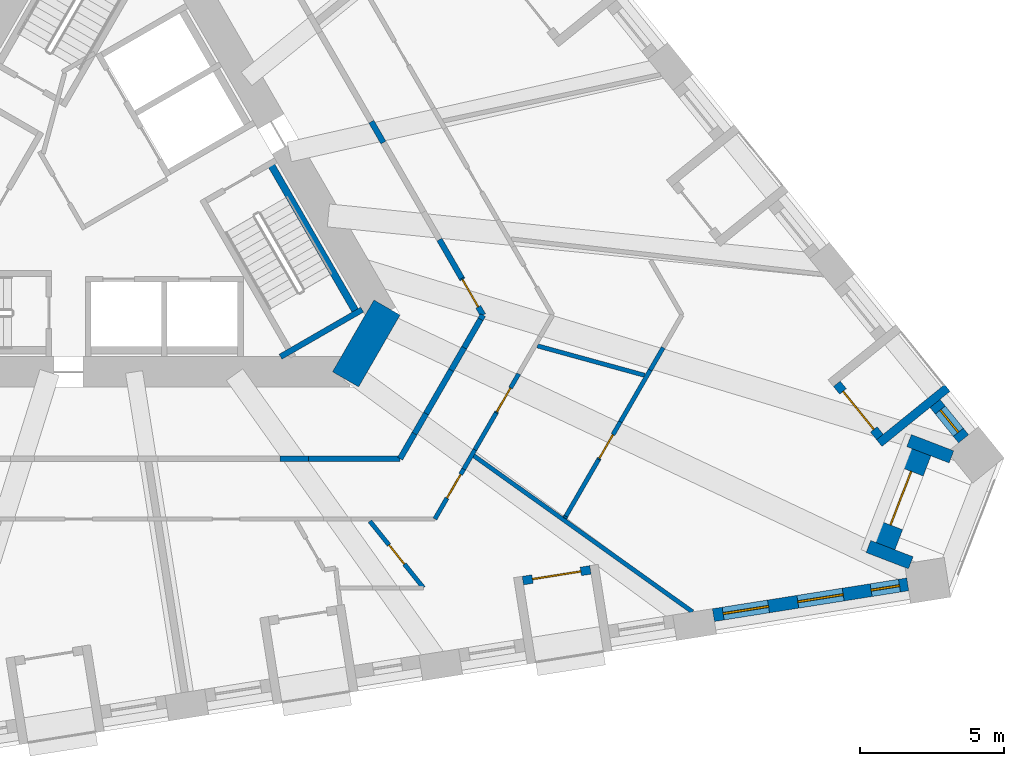
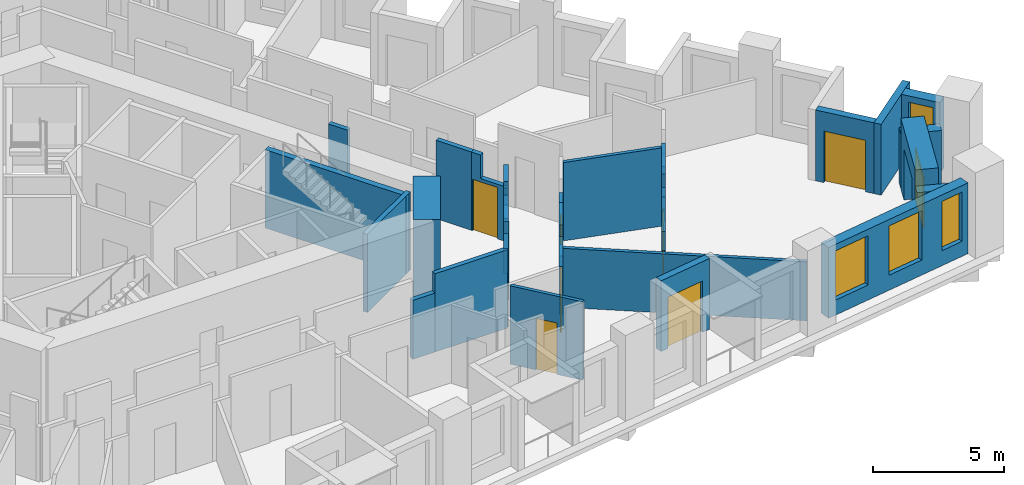
# One storey, part 6 of 14: 34 walls, 8 doors, 4 windows, 12 openings.
"""IFC4 building model written with IfcOpenShell, lengths in metres."""

from ifc_helpers import new_model, si_unit, direction, frame, frame_2d, origin, place, context, subcontext, project, spatial, polyline, rectangle, outline, extrude, material, layer, layer_set, type_object, element, fill, save


model = new_model("IFC4")

# Units and contexts
model_context = context("Model", 3, precision=1e-05, world=origin(), true_north=direction((0.0, 1.0)))
body_context = subcontext(model_context, "Body", "Model", "MODEL_VIEW")
ifc_project = project(units=[si_unit("LENGTHUNIT", "METRE"), si_unit("AREAUNIT", "SQUARE_METRE"), si_unit("VOLUMEUNIT", "CUBIC_METRE"), si_unit("PLANEANGLEUNIT", "RADIAN"), si_unit("MASSUNIT", "GRAM", prefix="KILO")], contexts=[model_context])

# Site, building, storey
site_placement = place(None, origin())
site = spatial("IfcSite", under=ifc_project, at=site_placement, CompositionType="ELEMENT")
building_placement = place(site_placement, origin())
building = spatial("IfcBuilding", under=site, at=building_placement, Name="Tramontana Tower", CompositionType="ELEMENT")
storey_placement = place(building_placement, frame((0.0, 0.0, 55.199951171875)))
storey = spatial("IfcBuildingStorey", under=building, at=storey_placement, Name="L11", CompositionType="ELEMENT", Elevation=55.199951171875)

# Walls
ifc_material_1 = material(Name="Concrete 70 MPa", Category="concrete")
ifc_layer_1 = layer(ifc_material_1, 1.050048828125)
ifc_layer_set_1 = layer_set([ifc_layer_1], Name="Core wall 1050 70 MPa")
wall_type_1 = type_object("IfcWallType", Name="Core wall 1050 70 MPa", PredefinedType="SHEAR", material=ifc_layer_set_1)
wall_1_placement = place(storey_placement, frame((8.349853515625, -6.487548828125, 0.0), z_axis=(0.0, 0.0, 1.0), x_axis=(0.499995765644, 0.866027848477, 0.0)))
element("IfcWall", 1, at=wall_1_placement, inside=storey, type_object=wall_type_1, Name="Core wall C4 L11", PredefinedType="SHEAR", context=body_context, shape_type="SweptSolid", body=[
    extrude(rectangle(XDim=2.88671875, YDim=1.050048828125, at=frame_2d((1.443359375, 0.0))), origin(), (0.0, 0.0, 1.0), 4.0),
])
ifc_material_2 = material(Name="Blockwork", Category="masonry")
ifc_layer_2 = layer(ifc_material_2, 0.199951171875)
ifc_layer_set_2 = layer_set([ifc_layer_2], Name="ENTRY WALL 200")
wall_type_2 = type_object("IfcWallType", Name="ENTRY WALL 200", PredefinedType="SOLIDWALL", material=ifc_layer_set_2)
wall_2_placement = place(storey_placement, frame((9.248046875, 2.48193359375, 0.0), z_axis=(0.0, 0.0, 1.0), x_axis=(0.500117447933, -0.865957584569, 0.0)))
element("IfcWall", 2, at=wall_2_placement, inside=storey, type_object=wall_type_2, Name="Wall v10-ew0-5", PredefinedType="SOLIDWALL", context=body_context, shape_type="SweptSolid", body=[
    extrude(rectangle(XDim=0.838134765625, YDim=0.199951171875, at=frame_2d((0.4189453125, 0.0))), origin(), (0.0, 0.0, 1.0), 2.75),
])
wall_3_placement = place(storey_placement, frame((11.618408203125, -1.623779296875, 0.0), z_axis=(0.0, 0.0, 1.0), x_axis=(0.50011257031, -0.86596040153, 0.0)))
element("IfcWall", 3, at=wall_3_placement, inside=storey, type_object=wall_type_2, Name="Wall v10-ew0-8", PredefinedType="SOLIDWALL", context=body_context, shape_type="SweptSolid", body=[
    extrude(rectangle(XDim=1.552978515625, YDim=0.199951171875, at=frame_2d((0.7763671875, 0.0))), origin(), (0.0, 0.0, 1.0), 3.650146484375),
])

# Wall, opening, door
wall_4_placement = place(storey_placement, frame((12.39501953125, -2.968505859375, 0.0), z_axis=(0.0, 0.0, 1.0), x_axis=(0.499936694431, -0.866061950187, 0.0)))
wall_4 = element("IfcWall", 4, at=wall_4_placement, inside=storey, type_object=wall_type_2, Name="Wall v10-ew0-9", PredefinedType="SOLIDWALL", context=body_context, shape_type="SweptSolid", body=[
    extrude(outline(polyline([(0.0, 0.0), (1.479736328125, 0.0), (1.4794921875, 2.550048828125), (0.4091796875, 2.550048828125), (0.4091796875, 3.650146484375), (0.0, 3.650146484375), (0.0, 0.0)])), frame((0.0, 0.10009765625, 0.0), z_axis=(0.0, -1.0, 0.0), x_axis=(1.0, 0.0, 0.0)), (0.0, 0.0, 1.0), 0.199951171875),
])
opening_1_placement = place(wall_4_placement, frame((0.050048828125, 0.0, 0.0)))
opening_1 = element("IfcOpeningElement", 5, at=opening_1_placement, cuts=wall_4, Name="Opening B1A-30", PredefinedType="OPENING", context=body_context, shape_type="SweptSolid", body=[
    extrude(rectangle(XDim=1.10009765625, YDim=2.39990234375, at=frame_2d((0.550048828125, 1.199951171875))), frame((0.0, 0.10986328125, 0.0), z_axis=(0.0, -1.0, 0.0), x_axis=(1.0, 0.0, 0.0)), (0.0, 0.0, 1.0), 0.219970703125),
])
ifc_material_3 = material(Name="Painted timber", Category="wood")
door_type_1 = type_object("IfcDoorType", Name="DOOR ENTRY 1100", OperationType="SINGLE_SWING_LEFT", PredefinedType="DOOR", material=ifc_material_3)
door_1_placement = place(opening_1_placement, origin())
door_1 = element("IfcDoor", 6, at=door_1_placement, inside=storey, type_object=door_type_1, Name="Door B1A-30", OperationType="SINGLE_SWING_RIGHT", OverallHeight=2.39990234375, OverallWidth=1.10009765625, PredefinedType="DOOR", context=body_context, shape_type="SweptSolid", body=[
    extrude(rectangle(XDim=1.10009765625, YDim=2.39990234375, at=frame_2d((0.550048828125, 1.199951171875))), frame((0.0, 0.02490234375, 0.0), z_axis=(0.0, -1.0, 0.0), x_axis=(1.0, 0.0, 0.0)), (0.0, 0.0, 1.0), 0.050048828125),
])
fill(opening_1, door_1)

# Walls
wall_5_placement = place(storey_placement, frame((13.134765625, -4.25, 0.0), z_axis=(0.0, 0.0, 1.0), x_axis=(-0.500586455622, -0.865686548612, 0.0)))
element("IfcWall", 7, at=wall_5_placement, inside=storey, type_object=wall_type_2, Name="Wall v10-ew1-0", PredefinedType="SOLIDWALL", context=body_context, shape_type="SweptSolid", body=[
    extrude(rectangle(XDim=0.171142578125, YDim=0.199951171875, at=frame_2d((0.08544921875, 0.0))), origin(), (0.0, 0.0, 1.0), 2.550048828125),
])
wall_6_placement = place(storey_placement, frame((13.049072265625, -4.398193359375, 0.0), z_axis=(0.0, 0.0, 1.0), x_axis=(-0.499889102667, -0.866089420923, 0.0)))
element("IfcWall", 8, at=wall_6_placement, inside=storey, type_object=wall_type_2, Name="Wall v10-ew1-1", PredefinedType="SOLIDWALL", context=body_context, shape_type="SweptSolid", body=[
    extrude(rectangle(XDim=1.141357421875, YDim=0.199951171875, at=frame_2d((0.57080078125, 0.0))), origin(), (0.0, 0.0, 1.0), 3.650146484375),
])
wall_7_placement = place(storey_placement, frame((12.478515625, -5.38671875, 0.0), z_axis=(0.0, 0.0, 1.0), x_axis=(-0.500151474942, -0.865937932021, 0.0)))
element("IfcWall", 9, at=wall_7_placement, inside=storey, type_object=wall_type_2, Name="Wall v10-ew1-2", PredefinedType="SOLIDWALL", context=body_context, shape_type="SweptSolid", body=[
    extrude(rectangle(XDim=0.903076171875, YDim=0.199951171875, at=frame_2d((0.45166015625, 0.0))), origin(), (0.0, 0.0, 1.0), 2.550048828125),
])
wall_8_placement = place(storey_placement, frame((12.02685546875, -6.168701171875, 0.0), z_axis=(0.0, 0.0, 1.0), x_axis=(-0.499900037626, -0.866083109396, 0.0)))
element("IfcWall", 10, at=wall_8_placement, inside=storey, type_object=wall_type_2, Name="Wall v10-ew1-3", PredefinedType="SOLIDWALL", context=body_context, shape_type="SweptSolid", body=[
    extrude(rectangle(XDim=1.745361328125, YDim=0.199951171875, at=frame_2d((0.87255859375, 0.0))), origin(), (0.0, 0.0, 1.0), 3.650146484375),
])
wall_9_placement = place(storey_placement, frame((11.154296875, -7.680419921875, 0.0), z_axis=(0.0, 0.0, 1.0), x_axis=(-0.500151261923, -0.865938055058, 0.0)))
element("IfcWall", 11, at=wall_9_placement, inside=storey, type_object=wall_type_2, Name="Wall v10-ew1-4", PredefinedType="SOLIDWALL", context=body_context, shape_type="SweptSolid", body=[
    extrude(rectangle(XDim=0.804931640625, YDim=0.199951171875, at=frame_2d((0.40234375, 0.0))), origin(), (0.0, 0.0, 1.0), 2.75),
])
wall_10_placement = place(storey_placement, frame((10.751708984375, -8.37744140625, 0.0), z_axis=(0.0, 0.0, 1.0), x_axis=(-0.499918237861, -0.866072604031, 0.0)))
element("IfcWall", 12, at=wall_10_placement, inside=storey, type_object=wall_type_2, Name="Wall v10-ew1-5", PredefinedType="SOLIDWALL", context=body_context, shape_type="SweptSolid", body=[
    extrude(rectangle(XDim=1.007568359375, YDim=0.199951171875, at=frame_2d((0.50390625, 0.0))), origin(), (0.0, 0.0, 1.0), 3.650146484375),
])
wall_11_placement = place(storey_placement, frame((10.248046875, -9.25, 0.0), z_axis=(0.0, 0.0, 1.0), x_axis=(-1.0, 0.0, 0.0)))
element("IfcWall", 13, at=wall_11_placement, inside=storey, type_object=wall_type_2, Name="Wall v10-ew2-0", PredefinedType="SOLIDWALL", context=body_context, shape_type="SweptSolid", body=[
    extrude(rectangle(XDim=3.190673828125, YDim=0.199951171875, at=frame_2d((1.59521484375, 0.0))), origin(), (0.0, 0.0, 1.0), 3.650146484375),
])
wall_12_placement = place(storey_placement, frame((7.057373046875, -9.25, 0.0), z_axis=(0.0, 0.0, 1.0), x_axis=(-1.0, 0.0, 0.0)))
element("IfcWall", 14, at=wall_12_placement, inside=storey, type_object=wall_type_2, Name="Wall v10-ew2-1", PredefinedType="SOLIDWALL", context=body_context, shape_type="SweptSolid", body=[
    extrude(rectangle(XDim=0.981201171875, YDim=0.199951171875, at=frame_2d((0.49072265625, 0.0))), origin(), (0.0, 0.0, 1.0), 2.75),
])

# Wall, openings, windows
ifc_material_4 = material(Name="Precast concrete 60 MPa", Category="concrete")
ifc_layer_3 = layer(ifc_material_4, 0.449951171875)
ifc_layer_set_3 = layer_set([ifc_layer_3], Name="Precast concrete 60 MPa, 450 mm")
wall_type_3 = type_object("IfcWallType", Name="EW1 Stone-faced precast wall 450", PredefinedType="SOLIDWALL", material=ifc_layer_set_3)
wall_13_placement = place(storey_placement, frame((21.1572265625, -14.6962890625, 0.0), z_axis=(0.0, 0.0, 1.0), x_axis=(0.987685675151, 0.156451293065, 0.0)))
wall_13 = element("IfcWall", 15, at=wall_13_placement, inside=storey, type_object=wall_type_3, Name="External wall L11 face 1 bay 6", PredefinedType="SOLIDWALL", context=body_context, shape_type="SweptSolid", body=[
    extrude(rectangle(XDim=6.848876953125, YDim=0.449951171875, at=frame_2d((3.42431640625, 0.0))), origin(), (0.0, 0.0, 1.0), 3.300048828125),
])
opening_2_placement = place(wall_13_placement, frame((0.341552734375, 0.0, 0.699951171875)))
opening_2 = element("IfcOpeningElement", 16, at=opening_2_placement, cuts=wall_13, Name="Opening M1", PredefinedType="OPENING", context=body_context, shape_type="SweptSolid", body=[
    extrude(rectangle(XDim=1.60009765625, YDim=2.300048828125, at=frame_2d((0.800048828125, 1.14990234375))), frame((0.0, 0.23486328125, 0.0), z_axis=(0.0, -1.0, 0.0), x_axis=(1.0, 0.0, 0.0)), (0.0, 0.0, 1.0), 0.469970703125),
])
opening_3_placement = place(wall_13_placement, frame((2.974365234375, 0.0, 0.699951171875)))
opening_3 = element("IfcOpeningElement", 17, at=opening_3_placement, cuts=wall_13, Name="Opening M1", PredefinedType="OPENING", context=body_context, shape_type="SweptSolid", body=[
    extrude(rectangle(XDim=1.60009765625, YDim=2.300048828125, at=frame_2d((0.800048828125, 1.14990234375))), frame((0.0, 0.23486328125, 0.0), z_axis=(0.0, -1.0, 0.0), x_axis=(1.0, 0.0, 0.0)), (0.0, 0.0, 1.0), 0.469970703125),
])
opening_4_placement = place(wall_13_placement, frame((5.557373046875, 0.0, 0.699951171875)))
opening_4 = element("IfcOpeningElement", 18, at=opening_4_placement, cuts=wall_13, Name="Opening N1", PredefinedType="OPENING", context=body_context, shape_type="SweptSolid", body=[
    extrude(rectangle(XDim=1.0, YDim=2.300048828125, at=frame_2d((0.5, 1.14990234375))), frame((0.0, 0.23486328125, 0.0), z_axis=(0.0, -1.0, 0.0), x_axis=(1.0, 0.0, 0.0)), (0.0, 0.0, 1.0), 0.469970703125),
])
ifc_material_5 = material(Name="Aluminum frame, double glazing unit", Category="aluminium")
window_type_1 = type_object("IfcWindowType", Name="M1 Window 1.6 x 2.3", PartitioningType="SINGLE_PANEL", PredefinedType="WINDOW", material=ifc_material_5)
window_1_placement = place(opening_2_placement, origin())
window_1 = element("IfcWindow", 19, at=window_1_placement, inside=storey, type_object=window_type_1, Name="Window M1 L11 face 1 module 16", OverallHeight=2.300048828125, OverallWidth=1.60009765625, PartitioningType="SINGLE_PANEL", PredefinedType="WINDOW", context=body_context, shape_type="SweptSolid", body=[
    extrude(rectangle(XDim=1.60009765625, YDim=2.300048828125, at=frame_2d((0.800048828125, 1.14990234375))), frame((0.0, 0.030029296875, 0.0), z_axis=(0.0, -1.0, 0.0), x_axis=(1.0, 0.0, 0.0)), (0.0, 0.0, 1.0), 0.06005859375),
])
fill(opening_2, window_1)
window_2_placement = place(opening_3_placement, origin())
window_2 = element("IfcWindow", 20, at=window_2_placement, inside=storey, type_object=window_type_1, Name="Window M1 L11 face 1 module 17", OverallHeight=2.300048828125, OverallWidth=1.60009765625, PartitioningType="SINGLE_PANEL", PredefinedType="WINDOW", context=body_context, shape_type="SweptSolid", body=[
    extrude(rectangle(XDim=1.60009765625, YDim=2.300048828125, at=frame_2d((0.800048828125, 1.14990234375))), frame((0.0, 0.030029296875, 0.0), z_axis=(0.0, -1.0, 0.0), x_axis=(1.0, 0.0, 0.0)), (0.0, 0.0, 1.0), 0.06005859375),
])
fill(opening_3, window_2)
ifc_material_6 = material(Name="Aluminum frame, double glazing unit", Category="aluminium")
window_type_2 = type_object("IfcWindowType", Name="N1 Window 1 x 2.3", PartitioningType="SINGLE_PANEL", PredefinedType="WINDOW", material=ifc_material_6)
window_3_placement = place(opening_4_placement, origin())
window_3 = element("IfcWindow", 21, at=window_3_placement, inside=storey, type_object=window_type_2, Name="Window N1 L11 face 1 module 18", OverallHeight=2.300048828125, OverallWidth=1.0, PartitioningType="SINGLE_PANEL", PredefinedType="WINDOW", context=body_context, shape_type="SweptSolid", body=[
    extrude(rectangle(XDim=1.0, YDim=2.300048828125, at=frame_2d((0.5, 1.14990234375))), frame((0.0, 0.030029296875, 0.0), z_axis=(0.0, -1.0, 0.0), x_axis=(1.0, 0.0, 0.0)), (0.0, 0.0, 1.0), 0.06005859375),
])
fill(opening_4, window_3)

# Wall, opening, window
wall_14_placement = place(storey_placement, frame((29.86669921875, -8.558349609375, 0.0), z_axis=(0.0, 0.0, 1.0), x_axis=(-0.629273652342, 0.77718380739, 0.0)))
wall_14 = element("IfcWall", 22, at=wall_14_placement, inside=storey, type_object=wall_type_3, Name="External wall L11 face 2 bay 1", PredefinedType="SOLIDWALL", context=body_context, shape_type="SweptSolid", body=[
    extrude(rectangle(XDim=1.5830078125, YDim=0.449951171875, at=frame_2d((0.79150390625, 0.0))), origin(), (0.0, 0.0, 1.0), 3.300048828125),
])
opening_5_placement = place(wall_14_placement, frame((0.29150390625, 0.0, 0.699951171875)))
opening_5 = element("IfcOpeningElement", 23, at=opening_5_placement, cuts=wall_14, Name="Opening N1", PredefinedType="OPENING", context=body_context, shape_type="SweptSolid", body=[
    extrude(rectangle(XDim=1.0, YDim=2.300048828125, at=frame_2d((0.5, 1.14990234375))), frame((0.0, 0.23486328125, 0.0), z_axis=(0.0, -1.0, 0.0), x_axis=(1.0, 0.0, 0.0)), (0.0, 0.0, 1.0), 0.469970703125),
])
window_4_placement = place(opening_5_placement, origin())
window_4 = element("IfcWindow", 24, at=window_4_placement, inside=storey, type_object=window_type_2, Name="Window N1 L11 face 2 module 1", OverallHeight=2.300048828125, OverallWidth=1.0, PartitioningType="SINGLE_PANEL", PredefinedType="WINDOW", context=body_context, shape_type="SweptSolid", body=[
    extrude(rectangle(XDim=1.0, YDim=2.300048828125, at=frame_2d((0.5, 1.14990234375))), frame((0.0, 0.030029296875, 0.0), z_axis=(0.0, -1.0, 0.0), x_axis=(1.0, 0.0, 0.0)), (0.0, 0.0, 1.0), 0.06005859375),
])
fill(opening_5, window_4)

# Walls
for number, where, z_axis, x_axis, name in (
    (25, (29.442626953125, -9.1865234375, 0.0), (0.0, 0.0, 1.0), (-0.93358843832, 0.358347077335, 0.0), "Corner loggia side wall L11 K12l"),
    (26, (28.027099609375, -12.8740234375, 0.0), (0.0, 0.0, 1.0), (-0.93358843832, 0.358347077335, 0.0), "Corner loggia side wall L11 K12r"),
):
    element("IfcWall", number, at=place(storey_placement, frame(where, z_axis=z_axis, x_axis=x_axis)), inside=storey, type_object=wall_type_3, Name=name, PredefinedType="SOLIDWALL", context=body_context, shape_type="SweptSolid", body=[
        extrude(rectangle(XDim=1.579345703125, YDim=0.449951171875, at=frame_2d((0.78955078125, 0.0))), origin(), (0.0, 0.0, 1.0), 2.550048828125),
    ])

# Wall, opening, door
ifc_material_7 = material(Name="Precast concrete 60 MPa", Category="concrete")
ifc_layer_4 = layer(ifc_material_7, 0.89990234375)
ifc_layer_set_4 = layer_set([ifc_layer_4], Name="EW2 Stone-faced corner loggia wall 900")
wall_type_4 = type_object("IfcWallType", Name="EW2 Stone-faced corner loggia wall 900", PredefinedType="SOLIDWALL", material=ifc_layer_set_4)
wall_15_placement = place(storey_placement, frame((28.307861328125, -8.991943359375, 0.0), z_axis=(0.0, 0.0, 1.0), x_axis=(-0.35841340332, -0.933562977158, 0.0)))
wall_15 = element("IfcWall", 27, at=wall_15_placement, inside=storey, type_object=wall_type_4, Name="Corner loggia wall L11 K12", PredefinedType="SOLIDWALL", context=body_context, shape_type="SweptSolid", body=[
    extrude(rectangle(XDim=3.499755859375, YDim=0.89990234375, at=frame_2d((1.75, 0.0))), origin(), (0.0, 0.0, 1.0), 3.300048828125),
])
opening_6_placement = place(wall_15_placement, frame((0.75, 0.0, 0.0)))
opening_6 = element("IfcOpeningElement", 28, at=opening_6_placement, cuts=wall_15, Name="Opening BD-12C", PredefinedType="OPENING", context=body_context, shape_type="SweptSolid", body=[
    extrude(rectangle(XDim=2.0, YDim=2.39990234375, at=frame_2d((1.0, 1.199951171875))), frame((0.0, 0.4599609375, 0.0), z_axis=(0.0, -1.0, 0.0), x_axis=(1.0, 0.0, 0.0)), (0.0, 0.0, 1.0), 0.919921875),
])
ifc_material_8 = material(Name="Aluminum frame, double glazing unit", Category="aluminium")
door_type_2 = type_object("IfcDoorType", Name="BC1 Sliding door 2 x 2.4", OperationType="SLIDING_TO_LEFT", PredefinedType="DOOR", material=ifc_material_8)
door_2_placement = place(opening_6_placement, origin())
door_2 = element("IfcDoor", 29, at=door_2_placement, inside=storey, type_object=door_type_2, Name="Corner loggia door L11 K12", OperationType="SLIDING_TO_LEFT", OverallHeight=2.39990234375, OverallWidth=2.0, PredefinedType="DOOR", context=body_context, shape_type="SweptSolid", body=[
    extrude(rectangle(XDim=2.0, YDim=2.39990234375, at=frame_2d((1.0, 1.199951171875))), frame((0.0, 0.02490234375, 0.0), z_axis=(0.0, -1.0, 0.0), x_axis=(1.0, 0.0, 0.0)), (0.0, 0.0, 1.0), 0.050048828125),
])
fill(opening_6, door_2)

ifc_material_9 = material(Name="Precast concrete 60 MPa", Category="concrete")
ifc_layer_5 = layer(ifc_material_9, 0.300048828125)
ifc_layer_set_5 = layer_set([ifc_layer_5], Name="LW1 Stone-faced loggia wall 300")
wall_type_5 = type_object("IfcWallType", Name="LW1 Stone-faced loggia wall 300", PredefinedType="SOLIDWALL", material=ifc_layer_set_5)
wall_16_placement = place(storey_placement, frame((14.521728515625, -13.494384765625, 0.0), z_axis=(0.0, 0.0, 1.0), x_axis=(0.987685586014, 0.156451855793, 0.0)))
wall_16 = element("IfcWall", 30, at=wall_16_placement, inside=storey, type_object=wall_type_5, Name="Loggia wall L11 G1S1.13", PredefinedType="SOLIDWALL", context=body_context, shape_type="SweptSolid", body=[
    extrude(rectangle(XDim=2.3828125, YDim=0.300048828125, at=frame_2d((1.19140625, 0.0))), origin(), (0.0, 0.0, 1.0), 3.300048828125),
])
opening_7_placement = place(wall_16_placement, frame((0.341552734375, 0.0, 0.0)))
opening_7 = element("IfcOpeningElement", 31, at=opening_7_placement, cuts=wall_16, Name="Opening BD-1S1-13", PredefinedType="OPENING", context=body_context, shape_type="SweptSolid", body=[
    extrude(rectangle(XDim=1.699951171875, YDim=2.39990234375, at=frame_2d((0.85009765625, 1.199951171875))), frame((0.0, 0.159912109375, 0.0), z_axis=(0.0, -1.0, 0.0), x_axis=(1.0, 0.0, 0.0)), (0.0, 0.0, 1.0), 0.320068359375),
])
ifc_material_10 = material(Name="Aluminum frame, double glazing unit", Category="aluminium")
door_type_3 = type_object("IfcDoorType", Name="BD1 Sliding door 1.7 x 2.4", OperationType="SLIDING_TO_LEFT", PredefinedType="DOOR", material=ifc_material_10)
door_3_placement = place(opening_7_placement, origin())
door_3 = element("IfcDoor", 32, at=door_3_placement, inside=storey, type_object=door_type_3, Name="Loggia door L11 G1S1.13", OperationType="SLIDING_TO_LEFT", OverallHeight=2.39990234375, OverallWidth=1.699951171875, PredefinedType="DOOR", context=body_context, shape_type="SweptSolid", body=[
    extrude(rectangle(XDim=1.699951171875, YDim=2.39990234375, at=frame_2d((0.85009765625, 1.199951171875))), frame((0.0, 0.02490234375, 0.0), z_axis=(0.0, -1.0, 0.0), x_axis=(1.0, 0.0, 0.0)), (0.0, 0.0, 1.0), 0.050048828125),
])
fill(opening_7, door_3)

wall_17_placement = place(storey_placement, frame((26.95263671875, -8.4951171875, 0.0), z_axis=(0.0, 0.0, 1.0), x_axis=(-0.62930727886, 0.777156579316, 0.0)))
wall_17 = element("IfcWall", 33, at=wall_17_placement, inside=storey, type_object=wall_type_5, Name="Loggia wall L11 G1S2.1", PredefinedType="SOLIDWALL", context=body_context, shape_type="SweptSolid", body=[
    extrude(rectangle(XDim=2.3828125, YDim=0.300048828125, at=frame_2d((1.19140625, 0.0))), origin(), (0.0, 0.0, 1.0), 3.300048828125),
])
opening_8_placement = place(wall_17_placement, frame((0.341552734375, 0.0, 0.0)))
opening_8 = element("IfcOpeningElement", 34, at=opening_8_placement, cuts=wall_17, Name="Opening BD-1S2-01", PredefinedType="OPENING", context=body_context, shape_type="SweptSolid", body=[
    extrude(rectangle(XDim=1.699951171875, YDim=2.39990234375, at=frame_2d((0.85009765625, 1.199951171875))), frame((0.0, 0.159912109375, 0.0), z_axis=(0.0, -1.0, 0.0), x_axis=(1.0, 0.0, 0.0)), (0.0, 0.0, 1.0), 0.320068359375),
])
door_4_placement = place(opening_8_placement, origin())
door_4 = element("IfcDoor", 35, at=door_4_placement, inside=storey, type_object=door_type_3, Name="Loggia door L11 G1S2.1", OperationType="SLIDING_TO_LEFT", OverallHeight=2.39990234375, OverallWidth=1.699951171875, PredefinedType="DOOR", context=body_context, shape_type="SweptSolid", body=[
    extrude(rectangle(XDim=1.699951171875, YDim=2.39990234375, at=frame_2d((0.85009765625, 1.199951171875))), frame((0.0, 0.02490234375, 0.0), z_axis=(0.0, -1.0, 0.0), x_axis=(1.0, 0.0, 0.0)), (0.0, 0.0, 1.0), 0.050048828125),
])
fill(opening_8, door_4)

# Wall
wall_18_placement = place(storey_placement, frame((29.30078125, -6.78662109375, 0.0), z_axis=(0.0, 0.0, 1.0), x_axis=(-0.777153523895, -0.629311052102, 0.0)))
element("IfcWall", 36, at=wall_18_placement, inside=storey, type_object=wall_type_5, Name="Loggia return L11 G1S2.1a", PredefinedType="SOLIDWALL", context=body_context, shape_type="SweptSolid", body=[
    extrude(rectangle(XDim=3.050048828125, YDim=0.300048828125, at=frame_2d((1.52490234375, 0.0))), origin(), (0.0, 0.0, 1.0), 3.300048828125),
])

# Wall, opening, door
ifc_material_11 = material(Name="Gypsum board partition")
ifc_layer_6 = layer(ifc_material_11, 0.14990234375)
ifc_layer_set_6 = layer_set([ifc_layer_6], Name="PARTITION 150")
wall_type_6 = type_object("IfcWallType", Name="PARTITION 150", PredefinedType="PARTITIONING", material=ifc_layer_set_6)
wall_19_placement = place(storey_placement, frame((11.0625, -13.7451171875, 0.0), z_axis=(0.0, 0.0, 1.0), x_axis=(-0.626992412451, 0.779025362057, 0.0)))
wall_19 = element("IfcWall", 37, at=wall_19_placement, inside=storey, type_object=wall_type_6, Name="Wall v10-pw32", PredefinedType="PARTITIONING", context=body_context, shape_type="SweptSolid", body=[
    extrude(rectangle(XDim=2.977294921875, YDim=0.14990234375, at=frame_2d((1.48876953125, 0.0))), origin(), (0.0, 0.0, 1.0), 3.650146484375),
])
opening_9_placement = place(wall_19_placement, frame((1.0634765625, 0.0, 0.0)))
opening_9 = element("IfcOpeningElement", 38, at=opening_9_placement, cuts=wall_19, Name="Opening B1A-25", PredefinedType="OPENING", context=body_context, shape_type="SweptSolid", body=[
    extrude(rectangle(XDim=0.85009765625, YDim=2.39990234375, at=frame_2d((0.425048828125, 1.199951171875))), frame((0.0, 0.0849609375, 0.0), z_axis=(0.0, -1.0, 0.0), x_axis=(1.0, 0.0, 0.0)), (0.0, 0.0, 1.0), 0.169921875),
])
ifc_material_12 = material(Name="Painted timber", Category="wood")
door_type_4 = type_object("IfcDoorType", Name="DOOR BATH 850", OperationType="SINGLE_SWING_LEFT", PredefinedType="DOOR", material=ifc_material_12)
door_5_placement = place(opening_9_placement, origin())
door_5 = element("IfcDoor", 39, at=door_5_placement, inside=storey, type_object=door_type_4, Name="Door B1A-25", OperationType="SINGLE_SWING_LEFT", OverallHeight=2.39990234375, OverallWidth=0.85009765625, PredefinedType="DOOR", context=body_context, shape_type="SweptSolid", body=[
    extrude(rectangle(XDim=0.85009765625, YDim=2.39990234375, at=frame_2d((0.425048828125, 1.199951171875))), frame((0.0, 0.02490234375, 0.0), z_axis=(0.0, -1.0, 0.0), x_axis=(1.0, 0.0, 0.0)), (0.0, 0.0, 1.0), 0.050048828125),
])
fill(opening_9, door_5)

# Wall
wall_20_placement = place(storey_placement, frame((15.02783203125, -5.32177734375, 0.0), z_axis=(0.0, 0.0, 1.0), x_axis=(0.964256110782, -0.26497198497, 0.0)))
element("IfcWall", 40, at=wall_20_placement, inside=storey, type_object=wall_type_6, Name="Wall v10-pw39", PredefinedType="PARTITIONING", context=body_context, shape_type="SweptSolid", body=[
    extrude(rectangle(XDim=3.875244140625, YDim=0.14990234375, at=frame_2d((1.9375, 0.0))), origin(), (0.0, 0.0, 1.0), 3.650146484375),
])

# Wall, opening, door
wall_21_placement = place(storey_placement, frame((14.378173828125, -6.296142578125, 0.0), z_axis=(0.0, 0.0, 1.0), x_axis=(-0.499946456463, -0.866056314953, 0.0)))
wall_21 = element("IfcWall", 41, at=wall_21_placement, inside=storey, type_object=wall_type_6, Name="Wall v10-pw40-2", PredefinedType="PARTITIONING", context=body_context, shape_type="SweptSolid", body=[
    extrude(outline(polyline([(0.0, 0.0), (1.572509765625, 0.0), (1.572265625, 3.650146484375), (0.8779296875, 3.650146484375), (0.8779296875, 2.550048828125), (0.0, 2.550048828125), (0.0, 0.0)])), frame((0.0, 0.074951171875, 0.0), z_axis=(0.0, -1.0, 0.0), x_axis=(1.0, 0.0, 0.0)), (0.0, 0.0, 1.0), 0.14990234375),
])
opening_10_placement = place(wall_21_placement, frame((0.572265625, 0.0, 0.0)))
opening_10 = element("IfcOpeningElement", 42, at=opening_10_placement, cuts=wall_21, Name="Opening B1A-19", PredefinedType="OPENING", context=body_context, shape_type="SweptSolid", body=[
    extrude(rectangle(XDim=0.949951171875, YDim=2.39990234375, at=frame_2d((0.47509765625, 1.199951171875))), frame((0.0, 0.0849609375, 0.0), z_axis=(0.0, -1.0, 0.0), x_axis=(1.0, 0.0, 0.0)), (0.0, 0.0, 1.0), 0.169921875),
])
ifc_material_13 = material(Name="Painted timber", Category="wood")
door_type_5 = type_object("IfcDoorType", Name="DOOR ROOM 950", OperationType="SINGLE_SWING_LEFT", PredefinedType="DOOR", material=ifc_material_13)
door_6_placement = place(opening_10_placement, origin())
door_6 = element("IfcDoor", 43, at=door_6_placement, inside=storey, type_object=door_type_5, Name="Door B1A-19", OperationType="SINGLE_SWING_LEFT", OverallHeight=2.39990234375, OverallWidth=0.949951171875, PredefinedType="DOOR", context=body_context, shape_type="SweptSolid", body=[
    extrude(rectangle(XDim=0.949951171875, YDim=2.39990234375, at=frame_2d((0.47509765625, 1.199951171875))), frame((0.0, 0.02490234375, 0.0), z_axis=(0.0, -1.0, 0.0), x_axis=(1.0, 0.0, 0.0)), (0.0, 0.0, 1.0), 0.050048828125),
])
fill(opening_10, door_6)

# Walls
wall_22_placement = place(storey_placement, frame((13.592041015625, -7.657958984375, 0.0), z_axis=(0.0, 0.0, 1.0), x_axis=(-0.49996987118, -0.866042797968, 0.0)))
element("IfcWall", 44, at=wall_22_placement, inside=storey, type_object=wall_type_6, Name="Wall v10-pw40-3", PredefinedType="PARTITIONING", context=body_context, shape_type="SweptSolid", body=[
    extrude(rectangle(XDim=1.48046875, YDim=0.14990234375, at=frame_2d((0.740234375, 0.0))), origin(), (0.0, 0.0, 1.0), 3.650146484375),
])
wall_23_placement = place(storey_placement, frame((12.851806640625, -8.940185546875, 0.0), z_axis=(0.0, 0.0, 1.0), x_axis=(-0.500011542666, -0.866018739521, 0.0)))
element("IfcWall", 45, at=wall_23_placement, inside=storey, type_object=wall_type_6, Name="Wall v10-pw40-4", PredefinedType="PARTITIONING", context=body_context, shape_type="SweptSolid", body=[
    extrude(rectangle(XDim=0.77978515625, YDim=0.14990234375, at=frame_2d((0.389892578125, 0.0))), origin(), (0.0, 0.0, 1.0), 2.75),
])

# Wall, opening, door
wall_24_placement = place(storey_placement, frame((12.4619140625, -9.615478515625, 0.0), z_axis=(0.0, 0.0, 1.0), x_axis=(-0.499993265928, -0.866029291668, 0.0)))
wall_24 = element("IfcWall", 46, at=wall_24_placement, inside=storey, type_object=wall_type_6, Name="Wall v10-pw40-5", PredefinedType="PARTITIONING", context=body_context, shape_type="SweptSolid", body=[
    extrude(rectangle(XDim=2.0029296875, YDim=0.14990234375, at=frame_2d((1.00146484375, 0.0))), origin(), (0.0, 0.0, 1.0), 3.650146484375),
])
opening_11_placement = place(wall_24_placement, frame((0.210693359375, 0.0, 0.0)))
opening_11 = element("IfcOpeningElement", 47, at=opening_11_placement, cuts=wall_24, Name="Opening B1A-21", PredefinedType="OPENING", context=body_context, shape_type="SweptSolid", body=[
    extrude(rectangle(XDim=0.949951171875, YDim=2.39990234375, at=frame_2d((0.47509765625, 1.199951171875))), frame((0.0, 0.0849609375, 0.0), z_axis=(0.0, -1.0, 0.0), x_axis=(1.0, 0.0, 0.0)), (0.0, 0.0, 1.0), 0.169921875),
])
door_7_placement = place(opening_11_placement, origin())
door_7 = element("IfcDoor", 48, at=door_7_placement, inside=storey, type_object=door_type_5, Name="Door B1A-21", OperationType="SINGLE_SWING_LEFT", OverallHeight=2.39990234375, OverallWidth=0.949951171875, PredefinedType="DOOR", context=body_context, shape_type="SweptSolid", body=[
    extrude(rectangle(XDim=0.949951171875, YDim=2.39990234375, at=frame_2d((0.47509765625, 1.199951171875))), frame((0.0, 0.02490234375, 0.0), z_axis=(0.0, -1.0, 0.0), x_axis=(1.0, 0.0, 0.0)), (0.0, 0.0, 1.0), 0.050048828125),
])
fill(opening_11, door_7)

# Walls
wall_25_placement = place(storey_placement, frame((19.4072265625, -5.385498046875, 0.0), z_axis=(0.0, 0.0, 1.0), x_axis=(-0.499965372359, -0.866045395139, 0.0)))
element("IfcWall", 49, at=wall_25_placement, inside=storey, type_object=wall_type_6, Name="Wall v10-pw42-1", PredefinedType="PARTITIONING", context=body_context, shape_type="SweptSolid", body=[
    extrude(rectangle(XDim=0.89892578125, YDim=0.14990234375, at=frame_2d((0.449462890625, 0.0))), origin(), (0.0, 0.0, 1.0), 2.550048828125),
])
wall_26_placement = place(storey_placement, frame((18.957763671875, -6.1640625, 0.0), z_axis=(0.0, 0.0, 1.0), x_axis=(-0.499939227269, -0.866060488094, 0.0)))
element("IfcWall", 50, at=wall_26_placement, inside=storey, type_object=wall_type_6, Name="Wall v10-pw42-2", PredefinedType="PARTITIONING", context=body_context, shape_type="SweptSolid", body=[
    extrude(rectangle(XDim=2.079833984375, YDim=0.14990234375, at=frame_2d((1.0400390625, 0.0))), origin(), (0.0, 0.0, 1.0), 3.650146484375),
])

# Wall, opening, door
wall_27_placement = place(storey_placement, frame((17.91796875, -7.96533203125, 0.0), z_axis=(0.0, 0.0, 1.0), x_axis=(-0.500047204294, -0.865998148658, 0.0)))
wall_27 = element("IfcWall", 51, at=wall_27_placement, inside=storey, type_object=wall_type_6, Name="Wall v10-pw42-3", PredefinedType="PARTITIONING", context=body_context, shape_type="SweptSolid", body=[
    extrude(outline(polyline([(0.0, 0.0), (1.518310546875, 0.0), (1.518310546875, 3.650146484375), (0.8779296875, 3.650146484375), (0.8779296875, 2.550048828125), (0.0, 2.550048828125), (0.0, 0.0)])), frame((0.0, 0.074951171875, 0.0), z_axis=(0.0, -1.0, 0.0), x_axis=(1.0, 0.0, 0.0)), (0.0, 0.0, 1.0), 0.14990234375),
])
opening_12_placement = place(wall_27_placement, frame((0.518310546875, 0.0, 0.0)))
opening_12 = element("IfcOpeningElement", 52, at=opening_12_placement, cuts=wall_27, Name="Opening B1A-27", PredefinedType="OPENING", context=body_context, shape_type="SweptSolid", body=[
    extrude(rectangle(XDim=0.949951171875, YDim=2.39990234375, at=frame_2d((0.47509765625, 1.199951171875))), frame((0.0, 0.0849609375, 0.0), z_axis=(0.0, -1.0, 0.0), x_axis=(1.0, 0.0, 0.0)), (0.0, 0.0, 1.0), 0.169921875),
])
door_8_placement = place(opening_12_placement, origin())
door_8 = element("IfcDoor", 53, at=door_8_placement, inside=storey, type_object=door_type_5, Name="Door B1A-27", OperationType="SINGLE_SWING_LEFT", OverallHeight=2.39990234375, OverallWidth=0.949951171875, PredefinedType="DOOR", context=body_context, shape_type="SweptSolid", body=[
    extrude(rectangle(XDim=0.949951171875, YDim=2.39990234375, at=frame_2d((0.47509765625, 1.199951171875))), frame((0.0, 0.02490234375, 0.0), z_axis=(0.0, -1.0, 0.0), x_axis=(1.0, 0.0, 0.0)), (0.0, 0.0, 1.0), 0.050048828125),
])
fill(opening_12, door_8)

# Walls
wall_28_placement = place(storey_placement, frame((17.15869140625, -9.2802734375, 0.0), z_axis=(0.0, 0.0, 1.0), x_axis=(-0.499987504325, -0.866032618045, 0.0)))
element("IfcWall", 54, at=wall_28_placement, inside=storey, type_object=wall_type_6, Name="Wall v10-pw42-4", PredefinedType="PARTITIONING", context=body_context, shape_type="SweptSolid", body=[
    extrude(rectangle(XDim=2.28564453125, YDim=0.14990234375, at=frame_2d((1.142822265625, 0.0))), origin(), (0.0, 0.0, 1.0), 3.650146484375),
])
wall_29_placement = place(storey_placement, frame((16.015869140625, -11.259765625, 0.0), z_axis=(0.0, 0.0, 1.0), x_axis=(-0.498541023162, -0.866866107438, 0.0)))
element("IfcWall", 55, at=wall_29_placement, inside=storey, type_object=wall_type_6, Name="Wall v10-pw42-5", PredefinedType="PARTITIONING", context=body_context, shape_type="SweptSolid", body=[
    extrude(rectangle(XDim=0.065673828125, YDim=0.14990234375, at=frame_2d((0.03271484375, 0.0))), origin(), (0.0, 0.0, 1.0), 2.75),
])
wall_30_placement = place(storey_placement, frame((20.4306640625, -14.58349609375, 0.0), z_axis=(0.0, 0.0, 1.0), x_axis=(-0.813913318796, 0.580986324699, 0.0)))
element("IfcWall", 56, at=wall_30_placement, inside=storey, type_object=wall_type_6, Name="Wall v10-pw43-0", PredefinedType="PARTITIONING", context=body_context, shape_type="SweptSolid", body=[
    extrude(rectangle(XDim=9.353515625, YDim=0.14990234375, at=frame_2d((4.6767578125, 0.0))), origin(), (0.0, 0.0, 1.0), 2.75),
])
ifc_material_14 = material(Name="Concrete 70 MPa", Category="concrete")
ifc_layer_7 = layer(ifc_material_14, 0.25)
ifc_layer_set_7 = layer_set([ifc_layer_7], Name="Concrete 70 MPa, 250 mm")
wall_type_7 = type_object("IfcWallType", Name="RC SHAFT BACK WALL 250", PredefinedType="SOLIDWALL", material=ifc_layer_set_7)
wall_31_placement = place(storey_placement, frame((8.781494140625, -4.260009765625, 0.0), z_axis=(0.0, 0.0, 1.0), x_axis=(-0.500009909098, 0.866019682689, 0.0)))
element("IfcWall", 57, at=wall_31_placement, inside=storey, type_object=wall_type_7, Name="Wall st3-back", PredefinedType="SOLIDWALL", context=body_context, shape_type="SweptSolid", body=[
    extrude(rectangle(XDim=6.199951171875, YDim=0.25, at=frame_2d((3.10009765625, 0.0))), origin(), (0.0, 0.0, 1.0), 3.650146484375),
])
ifc_material_15 = material(Name="Concrete 70 MPa", Category="concrete")
ifc_layer_8 = layer(ifc_material_15, 0.199951171875)
ifc_layer_set_8 = layer_set([ifc_layer_8], Name="Concrete 70 MPa, 200 mm")
wall_type_8 = type_object("IfcWallType", Name="RC STAIR AND SHAFT WALL 200", PredefinedType="SOLIDWALL", material=ifc_layer_set_8)
wall_32_placement = place(storey_placement, frame((6.08740234375, -5.699951171875, 0.0), z_axis=(0.0, 0.0, 1.0), x_axis=(0.866006986733, 0.500031897912, 0.0)))
element("IfcWall", 58, at=wall_32_placement, inside=storey, type_object=wall_type_8, Name="Wall st3-far", PredefinedType="SOLIDWALL", context=body_context, shape_type="SweptSolid", body=[
    extrude(rectangle(XDim=3.278076171875, YDim=0.199951171875, at=frame_2d((1.63916015625, 0.0))), origin(), (0.0, 0.0, 1.0), 3.650146484375),
])

save(model, "model.ifc")
